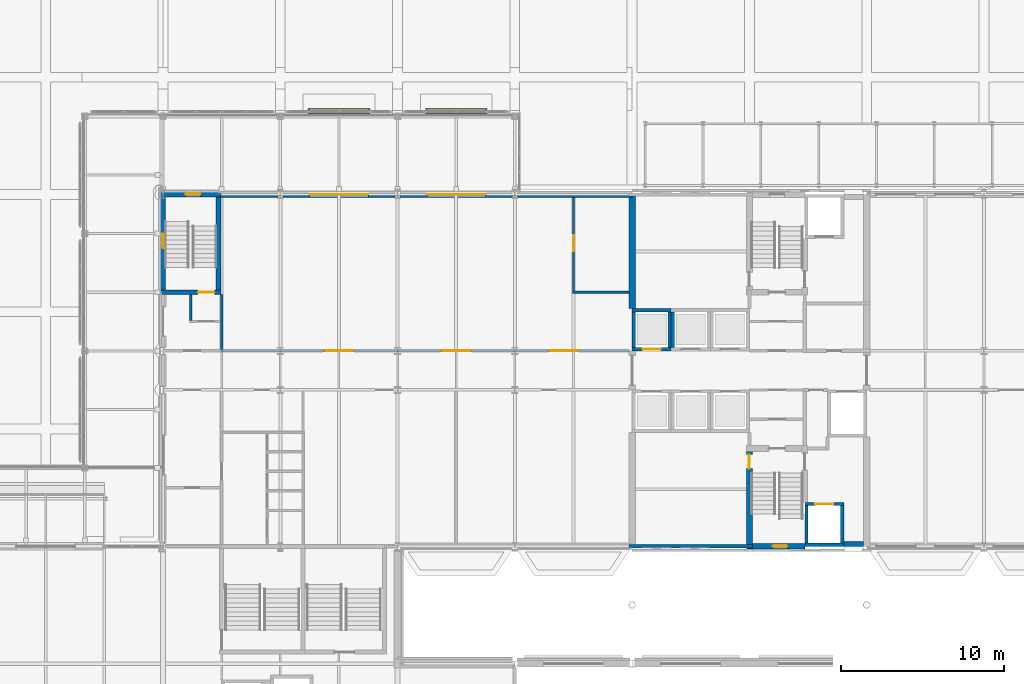
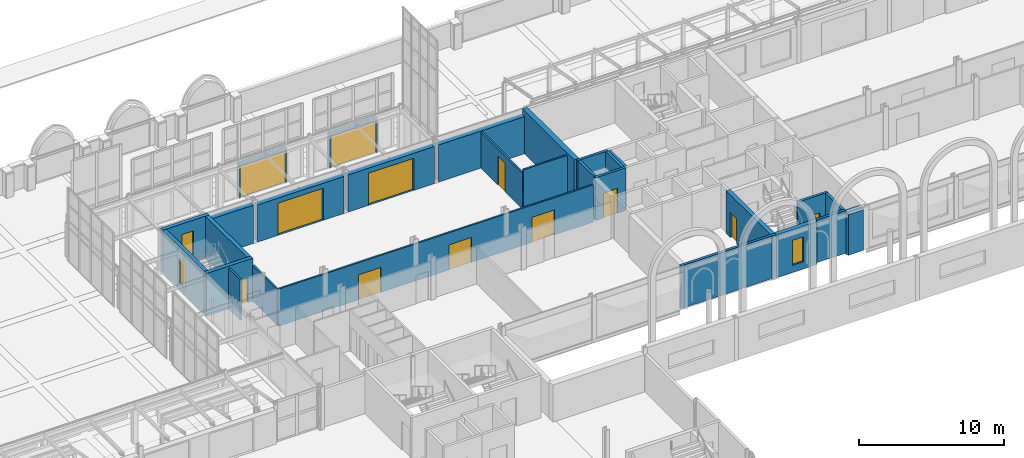
# One storey, part 78 of 143: 29 walls, 12 doors, 3 windows, 15 openings.
"""IFC4 building model written with IfcOpenShell, lengths in metres."""

from ifc_helpers import new_model, si_unit, direction, frame, frame_2d, origin, place, context, subcontext, project, spatial, rectangle, extrude, material, layer, layer_set, type_object, element, fill, save


model = new_model("IFC4")

# Units and contexts
model_context = context("Model", 3, precision=1e-05, world=origin(), true_north=direction((0.0, 1.0)))
body_context = subcontext(model_context, "Body", "Model", "MODEL_VIEW")
ifc_project = project(units=[si_unit("LENGTHUNIT", "METRE"), si_unit("AREAUNIT", "SQUARE_METRE"), si_unit("VOLUMEUNIT", "CUBIC_METRE"), si_unit("PLANEANGLEUNIT", "RADIAN"), si_unit("MASSUNIT", "GRAM", prefix="KILO")], contexts=[model_context])

# Site, building, storey
site_placement = place(None, origin())
site = spatial("IfcSite", under=ifc_project, at=site_placement, CompositionType="ELEMENT")
building_placement = place(site_placement, origin())
building = spatial("IfcBuilding", under=site, at=building_placement, Name="Kupolbacken Congress Centre", CompositionType="ELEMENT")
storey_placement = place(building_placement, frame((0.0, 0.0, 7.199951171875)))
storey = spatial("IfcBuildingStorey", under=building, at=storey_placement, Name="L02", CompositionType="ELEMENT", Elevation=7.199951171875)

# Wall, opening, door
ifc_material_1 = material(Name="Limestone", Category="masonry")
ifc_layer_1 = layer(ifc_material_1, 0.06005859375)
ifc_material_2 = material(Name="Air cavity", Category="air")
ifc_layer_2 = layer(ifc_material_2, 0.0400390625, ventilated=True)
ifc_material_3 = material(Name="Mineral wool", Category="insulation")
ifc_layer_3 = layer(ifc_material_3, 0.14990234375)
ifc_material_4 = material(Name="Steel studs", Category="metal")
ifc_layer_4 = layer(ifc_material_4, 0.050048828125)
ifc_layer_set_1 = layer_set([ifc_layer_1, ifc_layer_2, ifc_layer_3, ifc_layer_4], Name="Limestone / Mineral wool / Steel studs")
wall_type_1 = type_object("IfcWallType", Name="EW01 external cavity wall 300", PredefinedType="SOLIDWALL", material=ifc_layer_set_1)
wall_1_placement = place(storey_placement, frame((73.699951171875, 149.125, 0.0), z_axis=(0.0, 0.0, 1.0), x_axis=(1.0, 0.0, 0.0)))
wall_1 = element("IfcWall", 1, at=wall_1_placement, inside=storey, type_object=wall_type_1, Name="E/T/portal/N/screen72/door", PredefinedType="SOLIDWALL", context=body_context, shape_type="SweptSolid", body=[
    extrude(rectangle(XDim=3.800048828125, YDim=0.300048828125, at=frame_2d((1.89990234375, 0.0))), origin(), (0.0, 0.0, 1.0), 2.900146484375),
])
opening_1_placement = place(wall_1_placement, frame((0.10009765625, 0.0, 0.0)))
opening_1 = element("IfcOpeningElement", 2, at=opening_1_placement, cuts=wall_1, Name="Opening D40", PredefinedType="OPENING", context=body_context, shape_type="SweptSolid", body=[
    extrude(rectangle(XDim=3.60009765625, YDim=2.699951171875, at=frame_2d((1.800048828125, 1.35009765625))), frame((0.0, 0.159912109375, 0.0), z_axis=(0.0, -1.0, 0.0), x_axis=(1.0, 0.0, 0.0)), (0.0, 0.0, 1.0), 0.320068359375),
])
ifc_material_5 = material(Name="Aluminium framed glazed door", Category="aluminium")
door_type_1 = type_object("IfcDoorType", Name="D40 entrance door pair 3600x2700", OperationType="DOUBLE_DOOR_SINGLE_SWING", PredefinedType="DOOR", material=ifc_material_5)
door_1_placement = place(opening_1_placement, origin())
door_1 = element("IfcDoor", 3, at=door_1_placement, inside=storey, type_object=door_type_1, Name="E/T/portal/N/screen72/door/D", OperationType="DOUBLE_DOOR_SINGLE_SWING", OverallHeight=2.699951171875, OverallWidth=3.60009765625, PredefinedType="DOOR", context=body_context, shape_type="SweptSolid", body=[
    extrude(rectangle(XDim=3.60009765625, YDim=2.699951171875, at=frame_2d((1.800048828125, 1.35009765625))), frame((0.0, 0.02490234375, 0.0), z_axis=(0.0, -1.0, 0.0), x_axis=(1.0, 0.0, 0.0)), (0.0, 0.0, 1.0), 0.050048828125),
])
fill(opening_1, door_1)

wall_2_placement = place(storey_placement, frame((80.89990234375, 149.125, 0.0), z_axis=(0.0, 0.0, 1.0), x_axis=(1.0, 0.0, 0.0)))
wall_2 = element("IfcWall", 4, at=wall_2_placement, inside=storey, type_object=wall_type_1, Name="E/T/portal/N/screen79.2/door", PredefinedType="SOLIDWALL", context=body_context, shape_type="SweptSolid", body=[
    extrude(rectangle(XDim=3.800048828125, YDim=0.300048828125, at=frame_2d((1.89990234375, 0.0))), origin(), (0.0, 0.0, 1.0), 2.900146484375),
])
opening_2_placement = place(wall_2_placement, frame((0.10009765625, 0.0, 0.0)))
opening_2 = element("IfcOpeningElement", 5, at=opening_2_placement, cuts=wall_2, Name="Opening D40", PredefinedType="OPENING", context=body_context, shape_type="SweptSolid", body=[
    extrude(rectangle(XDim=3.60009765625, YDim=2.699951171875, at=frame_2d((1.800048828125, 1.35009765625))), frame((0.0, 0.159912109375, 0.0), z_axis=(0.0, -1.0, 0.0), x_axis=(1.0, 0.0, 0.0)), (0.0, 0.0, 1.0), 0.320068359375),
])
door_2_placement = place(opening_2_placement, origin())
door_2 = element("IfcDoor", 6, at=door_2_placement, inside=storey, type_object=door_type_1, Name="E/T/portal/N/screen79.2/door/D", OperationType="DOUBLE_DOOR_SINGLE_SWING", OverallHeight=2.699951171875, OverallWidth=3.60009765625, PredefinedType="DOOR", context=body_context, shape_type="SweptSolid", body=[
    extrude(rectangle(XDim=3.60009765625, YDim=2.699951171875, at=frame_2d((1.800048828125, 1.35009765625))), frame((0.0, 0.02490234375, 0.0), z_axis=(0.0, -1.0, 0.0), x_axis=(1.0, 0.0, 0.0)), (0.0, 0.0, 1.0), 0.050048828125),
])
fill(opening_2, door_2)

# Wall
ifc_layer_5 = layer(ifc_material_1, 0.1201171875)
ifc_layer_6 = layer(ifc_material_2, 0.0400390625, ventilated=True)
ifc_layer_7 = layer(ifc_material_3, 0.169921875)
ifc_layer_8 = layer(ifc_material_4, 0.050048828125)
ifc_layer_set_2 = layer_set([ifc_layer_5, ifc_layer_6, ifc_layer_7, ifc_layer_8], Name="Limestone / Mineral wool / Steel studs")
wall_type_2 = type_object("IfcWallType", Name="EW03 external cavity wall 380", PredefinedType="SOLIDWALL", material=ifc_layer_set_2)
wall_3_placement = place(storey_placement, frame((93.60009765625, 144.0, 0.0), z_axis=(0.0, 0.0, 1.0), x_axis=(-1.0, 0.0, 0.0)))
element("IfcWall", 7, at=wall_3_placement, inside=storey, type_object=wall_type_2, Name="E/T/N/L02/019", PredefinedType="SOLIDWALL", context=body_context, shape_type="SweptSolid", body=[
    extrude(rectangle(XDim=7.046630859375, YDim=0.3798828125, at=frame_2d((3.5234375, 0.0))), origin(), (0.0, 0.0, 1.0), 3.1201171875),
])

# Wall, opening, door
wall_4_placement = place(storey_placement, frame((86.24658203125, 144.0, 0.0), z_axis=(0.0, 0.0, 1.0), x_axis=(-1.0, 0.0, 0.0)))
wall_4 = element("IfcWall", 8, at=wall_4_placement, inside=storey, type_object=wall_type_2, Name="E/T/N/L02/020", PredefinedType="SOLIDWALL", context=body_context, shape_type="SweptSolid", body=[
    extrude(rectangle(XDim=6.89306640625, YDim=0.3798828125, at=frame_2d((3.446533203125, 0.0))), origin(), (0.0, 0.0, 1.0), 3.1201171875),
])
opening_3_placement = place(wall_4_placement, frame((1.646484375, 0.0, 0.0)))
opening_3 = element("IfcOpeningElement", 9, at=opening_3_placement, cuts=wall_4, Name="Opening D40", PredefinedType="OPENING", context=body_context, shape_type="SweptSolid", body=[
    extrude(rectangle(XDim=3.60009765625, YDim=2.699951171875, at=frame_2d((1.800048828125, 1.35009765625))), frame((0.0, 0.199951171875, 0.0), z_axis=(0.0, -1.0, 0.0), x_axis=(1.0, 0.0, 0.0)), (0.0, 0.0, 1.0), 0.39990234375),
])
door_3_placement = place(opening_3_placement, origin())
door_3 = element("IfcDoor", 10, at=door_3_placement, inside=storey, type_object=door_type_1, Name="E/T/N/L02/020/DHT2", OperationType="DOUBLE_DOOR_SINGLE_SWING", OverallHeight=2.699951171875, OverallWidth=3.60009765625, PredefinedType="DOOR", context=body_context, shape_type="SweptSolid", body=[
    extrude(rectangle(XDim=3.60009765625, YDim=2.699951171875, at=frame_2d((1.800048828125, 1.35009765625))), frame((0.0, 0.02490234375, 0.0), z_axis=(0.0, -1.0, 0.0), x_axis=(1.0, 0.0, 0.0)), (0.0, 0.0, 1.0), 0.050048828125),
])
fill(opening_3, door_3)

wall_5_placement = place(storey_placement, frame((79.04638671875, 144.0, 0.0), z_axis=(0.0, 0.0, 1.0), x_axis=(-1.0, 0.0, 0.0)))
wall_5 = element("IfcWall", 11, at=wall_5_placement, inside=storey, type_object=wall_type_2, Name="E/T/N/L02/021", PredefinedType="SOLIDWALL", context=body_context, shape_type="SweptSolid", body=[
    extrude(rectangle(XDim=6.892822265625, YDim=0.3798828125, at=frame_2d((3.4462890625, 0.0))), origin(), (0.0, 0.0, 1.0), 3.1201171875),
])
opening_4_placement = place(wall_5_placement, frame((1.646484375, 0.0, 0.0)))
opening_4 = element("IfcOpeningElement", 12, at=opening_4_placement, cuts=wall_5, Name="Opening D40", PredefinedType="OPENING", context=body_context, shape_type="SweptSolid", body=[
    extrude(rectangle(XDim=3.60009765625, YDim=2.699951171875, at=frame_2d((1.800048828125, 1.35009765625))), frame((0.0, 0.199951171875, 0.0), z_axis=(0.0, -1.0, 0.0), x_axis=(1.0, 0.0, 0.0)), (0.0, 0.0, 1.0), 0.39990234375),
])
door_4_placement = place(opening_4_placement, origin())
door_4 = element("IfcDoor", 13, at=door_4_placement, inside=storey, type_object=door_type_1, Name="E/T/N/L02/021/DHT1", OperationType="DOUBLE_DOOR_SINGLE_SWING", OverallHeight=2.699951171875, OverallWidth=3.60009765625, PredefinedType="DOOR", context=body_context, shape_type="SweptSolid", body=[
    extrude(rectangle(XDim=3.60009765625, YDim=2.699951171875, at=frame_2d((1.800048828125, 1.35009765625))), frame((0.0, 0.02490234375, 0.0), z_axis=(0.0, -1.0, 0.0), x_axis=(1.0, 0.0, 0.0)), (0.0, 0.0, 1.0), 0.050048828125),
])
fill(opening_4, door_4)

# Walls
wall_6_placement = place(storey_placement, frame((71.846435546875, 144.0, 0.0), z_axis=(0.0, 0.0, 1.0), x_axis=(-1.0, 0.0, 0.0)))
element("IfcWall", 14, at=wall_6_placement, inside=storey, type_object=wall_type_2, Name="E/T/N/L02/022", PredefinedType="SOLIDWALL", context=body_context, shape_type="SweptSolid", body=[
    extrude(rectangle(XDim=3.646484375, YDim=0.3798828125, at=frame_2d((1.8232421875, 0.0))), origin(), (0.0, 0.0, 1.0), 3.219970703125),
])
ifc_material_6 = material(Name="Concrete C40/50", Category="concrete")
ifc_layer_9 = layer(ifc_material_6, 0.35009765625)
ifc_layer_10 = layer(ifc_material_3, 0.1220703125)
ifc_layer_11 = layer(ifc_material_2, 0.0400390625, ventilated=True)
ifc_material_7 = material(Name="Brick", Category="masonry")
ifc_layer_12 = layer(ifc_material_7, 0.10791015625)
ifc_layer_set_3 = layer_set([ifc_layer_9, ifc_layer_10, ifc_layer_11, ifc_layer_12], Name="Concrete C40/50 / Mineral wool / Brick")
wall_type_3 = type_object("IfcWallType", Name="EW10 external cavity wall 620", PredefinedType="SOLIDWALL", material=ifc_layer_set_3)
wall_7_placement = place(storey_placement, frame((106.60009765625, 122.39990234375, 0.0), z_axis=(0.0, 0.0, 1.0), x_axis=(1.0, 0.0, 0.0)))
element("IfcWall", 15, at=wall_7_placement, inside=storey, type_object=wall_type_3, Name="E/T/S/L02/025", PredefinedType="SOLIDWALL", context=body_context, shape_type="SweptSolid", body=[
    extrude(rectangle(XDim=1.199951171875, YDim=0.6201171875, at=frame_2d((0.60009765625, 0.0))), origin(), (0.0, 0.0, 1.0), 3.420166015625),
])

# Wall, openings, doors
ifc_material_8 = material(Name="Gypsum board", Category="drywall")
ifc_layer_13 = layer(ifc_material_8, 0.135009765625)
ifc_layer_set_4 = layer_set([ifc_layer_13], Name="Gypsum board")
wall_type_4 = type_object("IfcWallType", Name="P06 compartment wall 135", PredefinedType="PARTITIONING", material=ifc_layer_set_4)
wall_8_placement = place(storey_placement, frame((68.330078125, 134.39990234375, 0.0), z_axis=(0.0, 0.0, 1.0), x_axis=(1.0, 0.0, 0.0)))
wall_8 = element("IfcWall", 16, at=wall_8_placement, inside=storey, type_object=wall_type_4, Name="T/wall/L02/x/13440/6840", PredefinedType="PARTITIONING", context=body_context, shape_type="SweptSolid", body=[
    extrude(rectangle(XDim=25.06982421875, YDim=0.135009765625, at=frame_2d((12.534912109375, 0.0))), origin(), (0.0, 0.0, 1.0), 3.1201171875),
])
opening_5_placement = place(wall_8_placement, frame((6.3701171875, 0.0, 0.0)))
opening_5 = element("IfcOpeningElement", 17, at=opening_5_placement, cuts=wall_8, Name="Opening D14", PredefinedType="OPENING", context=body_context, shape_type="SweptSolid", body=[
    extrude(rectangle(XDim=1.800048828125, YDim=2.10009765625, at=frame_2d((0.89990234375, 1.050048828125))), frame((0.0, 0.077392578125, 0.0), z_axis=(0.0, -1.0, 0.0), x_axis=(1.0, 0.0, 0.0)), (0.0, 0.0, 1.0), 0.155029296875),
])
opening_6_placement = place(wall_8_placement, frame((13.570068359375, 0.0, 0.0)))
opening_6 = element("IfcOpeningElement", 18, at=opening_6_placement, cuts=wall_8, Name="Opening D14", PredefinedType="OPENING", context=body_context, shape_type="SweptSolid", body=[
    extrude(rectangle(XDim=1.800048828125, YDim=2.10009765625, at=frame_2d((0.89990234375, 1.050048828125))), frame((0.0, 0.077392578125, 0.0), z_axis=(0.0, -1.0, 0.0), x_axis=(1.0, 0.0, 0.0)), (0.0, 0.0, 1.0), 0.155029296875),
])
opening_7_placement = place(wall_8_placement, frame((20.169921875, 0.0, 0.0)))
opening_7 = element("IfcOpeningElement", 19, at=opening_7_placement, cuts=wall_8, Name="Opening D14", PredefinedType="OPENING", context=body_context, shape_type="SweptSolid", body=[
    extrude(rectangle(XDim=1.800048828125, YDim=2.10009765625, at=frame_2d((0.89990234375, 1.050048828125))), frame((0.0, 0.077392578125, 0.0), z_axis=(0.0, -1.0, 0.0), x_axis=(1.0, 0.0, 0.0)), (0.0, 0.0, 1.0), 0.155029296875),
])
ifc_material_9 = material(Name="Steel fire door leaf", Category="steel")
door_type_2 = type_object("IfcDoorType", Name="D14 fire door 1800x2100", OperationType="DOUBLE_DOOR_SINGLE_SWING", PredefinedType="DOOR", material=ifc_material_9)
door_5_placement = place(opening_5_placement, origin())
door_5 = element("IfcDoor", 20, at=door_5_placement, inside=storey, type_object=door_type_2, Name="T/wall/L02/x/13440/6840/D-HLB-S1", OperationType="DOUBLE_DOOR_SINGLE_SWING", OverallHeight=2.10009765625, OverallWidth=1.800048828125, PredefinedType="DOOR", context=body_context, shape_type="SweptSolid", body=[
    extrude(rectangle(XDim=1.800048828125, YDim=2.10009765625, at=frame_2d((0.89990234375, 1.050048828125))), frame((0.0, 0.02490234375, 0.0), z_axis=(0.0, -1.0, 0.0), x_axis=(1.0, 0.0, 0.0)), (0.0, 0.0, 1.0), 0.050048828125),
])
fill(opening_5, door_5)
door_6_placement = place(opening_6_placement, origin())
door_6 = element("IfcDoor", 21, at=door_6_placement, inside=storey, type_object=door_type_2, Name="T/wall/L02/x/13440/6840/D-HLB-S2", OperationType="DOUBLE_DOOR_SINGLE_SWING", OverallHeight=2.10009765625, OverallWidth=1.800048828125, PredefinedType="DOOR", context=body_context, shape_type="SweptSolid", body=[
    extrude(rectangle(XDim=1.800048828125, YDim=2.10009765625, at=frame_2d((0.89990234375, 1.050048828125))), frame((0.0, 0.02490234375, 0.0), z_axis=(0.0, -1.0, 0.0), x_axis=(1.0, 0.0, 0.0)), (0.0, 0.0, 1.0), 0.050048828125),
])
fill(opening_6, door_6)
door_7_placement = place(opening_7_placement, origin())
door_7 = element("IfcDoor", 22, at=door_7_placement, inside=storey, type_object=door_type_2, Name="T/wall/L02/x/13440/6840/D-HLB-S3", OperationType="DOUBLE_DOOR_SINGLE_SWING", OverallHeight=2.10009765625, OverallWidth=1.800048828125, PredefinedType="DOOR", context=body_context, shape_type="SweptSolid", body=[
    extrude(rectangle(XDim=1.800048828125, YDim=2.10009765625, at=frame_2d((0.89990234375, 1.050048828125))), frame((0.0, 0.02490234375, 0.0), z_axis=(0.0, -1.0, 0.0), x_axis=(1.0, 0.0, 0.0)), (0.0, 0.0, 1.0), 0.050048828125),
])
fill(opening_7, door_7)

# Wall
wall_9_placement = place(storey_placement, frame((89.9326171875, 138.0, 0.0), z_axis=(0.0, 0.0, 1.0), x_axis=(1.0, 0.0, 0.0)))
element("IfcWall", 23, at=wall_9_placement, inside=storey, type_object=wall_type_4, Name="T/wall/L02/x/13800/9000", PredefinedType="PARTITIONING", context=body_context, shape_type="SweptSolid", body=[
    extrude(rectangle(XDim=3.46728515625, YDim=0.135009765625, at=frame_2d((1.733642578125, 0.0))), origin(), (0.0, 0.0, 1.0), 3.420166015625),
])

# Wall, opening, door
wall_10_placement = place(storey_placement, frame((90.0, 138.0673828125, 0.0), z_axis=(0.0, 0.0, 1.0), x_axis=(0.0, 1.0, 0.0)))
wall_10 = element("IfcWall", 24, at=wall_10_placement, inside=storey, type_object=wall_type_4, Name="T/wall/L02/y/9000/13800", PredefinedType="PARTITIONING", context=body_context, shape_type="SweptSolid", body=[
    extrude(rectangle(XDim=5.74267578125, YDim=0.135009765625, at=frame_2d((2.871337890625, 0.0))), origin(), (0.0, 0.0, 1.0), 3.02001953125),
])
opening_8_placement = place(wall_10_placement, frame((2.4326171875, 0.0, 0.0)))
opening_8 = element("IfcOpeningElement", 25, at=opening_8_placement, cuts=wall_10, Name="Opening D8", PredefinedType="OPENING", context=body_context, shape_type="SweptSolid", body=[
    extrude(rectangle(XDim=1.0, YDim=2.39990234375, at=frame_2d((0.5, 1.199951171875))), frame((0.0, 0.077392578125, 0.0), z_axis=(0.0, -1.0, 0.0), x_axis=(1.0, 0.0, 0.0)), (0.0, 0.0, 1.0), 0.155029296875),
])
ifc_material_10 = material(Name="Steel fire door leaf", Category="steel")
door_type_3 = type_object("IfcDoorType", Name="D8 fire door 1000x2400", OperationType="SINGLE_SWING_LEFT", PredefinedType="DOOR", material=ifc_material_10)
door_8_placement = place(opening_8_placement, frame((1.0, 0.0, 0.0), z_axis=(0.0, 0.0, 1.0), x_axis=(-1.0, 0.0, 0.0)))
door_8 = element("IfcDoor", 26, at=door_8_placement, inside=storey, type_object=door_type_3, Name="T/wall/L02/y/9000/13800/D-FCR-D", OperationType="SINGLE_SWING_RIGHT", OverallHeight=2.39990234375, OverallWidth=1.0, PredefinedType="DOOR", context=body_context, shape_type="SweptSolid", body=[
    extrude(rectangle(XDim=1.0, YDim=2.39990234375, at=frame_2d((0.5, 1.199951171875))), frame((0.0, 0.02490234375, 0.0), z_axis=(0.0, -1.0, 0.0), x_axis=(1.0, 0.0, 0.0)), (0.0, 0.0, 1.0), 0.050048828125),
])
fill(opening_8, door_8)

# Walls
ifc_material_11 = material(Name="Aerated concrete block", Category="masonry")
ifc_layer_14 = layer(ifc_material_11, 0.139892578125)
ifc_layer_set_5 = layer_set([ifc_layer_14], Name="Aerated concrete block")
wall_type_5 = type_object("IfcWallType", Name="P14 compartment wall 140", PredefinedType="PARTITIONING", material=ifc_layer_set_5)
wall_11_placement = place(storey_placement, frame((66.5, 136.27001953125, 0.0), z_axis=(0.0, 0.0, 1.0), x_axis=(0.0, 1.0, 0.0)))
element("IfcWall", 27, at=wall_11_placement, inside=storey, type_object=wall_type_5, Name="T/wall/L02/y/6650/13620", PredefinedType="PARTITIONING", context=body_context, shape_type="SweptSolid", body=[
    extrude(rectangle(XDim=1.580078125, YDim=0.139892578125, at=frame_2d((0.7900390625, 0.0))), origin(), (0.0, 0.0, 1.0), 3.420166015625),
])
wall_12_placement = place(storey_placement, frame((68.39990234375, 134.469970703125, 0.0), z_axis=(0.0, 0.0, 1.0), x_axis=(0.0, 1.0, 0.0)))
element("IfcWall", 28, at=wall_12_placement, inside=storey, type_object=wall_type_5, Name="T/wall/L02/y/6840/13440", PredefinedType="PARTITIONING", context=body_context, shape_type="SweptSolid", body=[
    extrude(rectangle(XDim=3.380126953125, YDim=0.139892578125, at=frame_2d((1.68994140625, 0.0))), origin(), (0.0, 0.0, 1.0), 3.02001953125),
])
ifc_material_12 = material(Name="Concrete C40/50", Category="concrete")
ifc_layer_15 = layer(ifc_material_12, 0.199951171875)
ifc_layer_set_6 = layer_set([ifc_layer_15], Name="Concrete C40/50")
wall_type_6 = type_object("IfcWallType", Name="WC1 RC shaft wall 200", PredefinedType="SHEAR", material=ifc_layer_set_6)
wall_13_placement = place(storey_placement, frame((93.39990234375, 122.39990234375, 0.0), z_axis=(0.0, 0.0, 1.0), x_axis=(1.0, 0.0, 0.0)))
element("IfcWall", 29, at=wall_13_placement, inside=storey, type_object=wall_type_6, Name="Shaft wall L02-078", PredefinedType="SHEAR", context=body_context, shape_type="SweptSolid", body=[
    extrude(rectangle(XDim=7.5751953125, YDim=0.199951171875, at=frame_2d((3.78759765625, 0.0))), origin(), (0.0, 0.0, 1.0), 3.60009765625),
])

# Wall, opening, door
wall_14_placement = place(storey_placement, frame((93.60009765625, 134.5, 0.0), z_axis=(0.0, 0.0, 1.0), x_axis=(1.0, 0.0, 0.0)))
wall_14 = element("IfcWall", 30, at=wall_14_placement, inside=storey, type_object=wall_type_6, Name="Shaft wall LP12", PredefinedType="SHEAR", context=body_context, shape_type="SweptSolid", body=[
    extrude(rectangle(XDim=2.39990234375, YDim=0.199951171875, at=frame_2d((1.199951171875, 0.0))), origin(), (0.0, 0.0, 1.0), 3.60009765625),
])
opening_9_placement = place(wall_14_placement, frame((0.64990234375, 0.0, 0.0)))
opening_9 = element("IfcOpeningElement", 31, at=opening_9_placement, cuts=wall_14, Name="Opening LD2", PredefinedType="OPENING", context=body_context, shape_type="SweptSolid", body=[
    extrude(rectangle(XDim=1.10009765625, YDim=2.10009765625, at=frame_2d((0.550048828125, 1.050048828125))), frame((0.0, 0.10986328125, 0.0), z_axis=(0.0, -1.0, 0.0), x_axis=(1.0, 0.0, 0.0)), (0.0, 0.0, 1.0), 0.219970703125),
])
ifc_material_13 = material(Name="Stainless steel door leaf", Category="steel")
door_type_4 = type_object("IfcDoorType", Name="LD2 lift landing door 1100x2100", OperationType="SLIDING_TO_LEFT", PredefinedType="DOOR", material=ifc_material_13)
door_9_placement = place(opening_9_placement, origin())
door_9 = element("IfcDoor", 32, at=door_9_placement, inside=storey, type_object=door_type_4, Name="Lift landing door LP12", OperationType="SLIDING_TO_LEFT", OverallHeight=2.10009765625, OverallWidth=1.10009765625, PredefinedType="DOOR", context=body_context, shape_type="SweptSolid", body=[
    extrude(rectangle(XDim=1.10009765625, YDim=2.10009765625, at=frame_2d((0.550048828125, 1.050048828125))), frame((0.0, 0.02490234375, 0.0), z_axis=(0.0, -1.0, 0.0), x_axis=(1.0, 0.0, 0.0)), (0.0, 0.0, 1.0), 0.050048828125),
])
fill(opening_9, door_9)

# Walls
wall_15_placement = place(storey_placement, frame((93.60009765625, 136.89990234375, 0.0), z_axis=(0.0, 0.0, 1.0), x_axis=(1.0, 0.0, 0.0)))
element("IfcWall", 33, at=wall_15_placement, inside=storey, type_object=wall_type_6, Name="Shaft wall LP12", PredefinedType="SHEAR", context=body_context, shape_type="SweptSolid", body=[
    extrude(rectangle(XDim=2.39990234375, YDim=0.199951171875, at=frame_2d((1.199951171875, 0.0))), origin(), (0.0, 0.0, 1.0), 3.60009765625),
])
for number, where, z_axis, x_axis, name in (
    (34, (93.699951171875, 134.60009765625, 0.0), (0.0, 0.0, 1.0), (0.0, 1.0, 0.0), "Shaft wall LP12"),
    (35, (95.89990234375, 134.60009765625, 0.0), (0.0, 0.0, 1.0), (0.0, 1.0, 0.0), "Shaft wall LP12"),
    (36, (96.10009765625, 134.60009765625, 0.0), (0.0, 0.0, 1.0), (0.0, 1.0, 0.0), "Shaft wall LP13"),
):
    element("IfcWall", number, at=place(storey_placement, frame(where, z_axis=z_axis, x_axis=x_axis)), inside=storey, type_object=wall_type_6, Name=name, PredefinedType="SHEAR", context=body_context, shape_type="SweptSolid", body=[
        extrude(rectangle(XDim=2.199951171875, YDim=0.199951171875, at=frame_2d((1.10009765625, 0.0))), origin(), (0.0, 0.0, 1.0), 3.60009765625),
    ])
wall_16_placement = place(storey_placement, frame((104.199951171875, 122.5, 0.0), z_axis=(0.0, 0.0, 1.0), x_axis=(1.0, 0.0, 0.0)))
element("IfcWall", 37, at=wall_16_placement, inside=storey, type_object=wall_type_6, Name="Shaft wall LF1", PredefinedType="SHEAR", context=body_context, shape_type="SweptSolid", body=[
    extrude(rectangle(XDim=2.400146484375, YDim=0.199951171875, at=frame_2d((1.2001953125, 0.0))), origin(), (0.0, 0.0, 1.0), 3.60009765625),
])

# Wall, opening, door
wall_17_placement = place(storey_placement, frame((104.199951171875, 125.0, 0.0), z_axis=(0.0, 0.0, 1.0), x_axis=(1.0, 0.0, 0.0)))
wall_17 = element("IfcWall", 38, at=wall_17_placement, inside=storey, type_object=wall_type_6, Name="Shaft wall LF1", PredefinedType="SHEAR", context=body_context, shape_type="SweptSolid", body=[
    extrude(rectangle(XDim=2.400146484375, YDim=0.199951171875, at=frame_2d((1.2001953125, 0.0))), origin(), (0.0, 0.0, 1.0), 3.60009765625),
])
opening_10_placement = place(wall_17_placement, frame((0.64990234375, 0.0, 0.0)))
opening_10 = element("IfcOpeningElement", 39, at=opening_10_placement, cuts=wall_17, Name="Opening LD2", PredefinedType="OPENING", context=body_context, shape_type="SweptSolid", body=[
    extrude(rectangle(XDim=1.10009765625, YDim=2.10009765625, at=frame_2d((0.550048828125, 1.050048828125))), frame((0.0, 0.10986328125, 0.0), z_axis=(0.0, -1.0, 0.0), x_axis=(1.0, 0.0, 0.0)), (0.0, 0.0, 1.0), 0.219970703125),
])
door_10_placement = place(opening_10_placement, origin())
door_10 = element("IfcDoor", 40, at=door_10_placement, inside=storey, type_object=door_type_4, Name="Lift landing door LF1", OperationType="SLIDING_TO_LEFT", OverallHeight=2.10009765625, OverallWidth=1.10009765625, PredefinedType="DOOR", context=body_context, shape_type="SweptSolid", body=[
    extrude(rectangle(XDim=1.10009765625, YDim=2.10009765625, at=frame_2d((0.550048828125, 1.050048828125))), frame((0.0, 0.02490234375, 0.0), z_axis=(0.0, -1.0, 0.0), x_axis=(1.0, 0.0, 0.0)), (0.0, 0.0, 1.0), 0.050048828125),
])
fill(opening_10, door_10)

# Walls
for number, where, z_axis, x_axis, name in (
    (41, (104.300048828125, 122.60009765625, 0.0), (0.0, 0.0, 1.0), (0.0, 1.0, 0.0), "Shaft wall LF1"),
    (42, (106.5, 122.60009765625, 0.0), (0.0, 0.0, 1.0), (0.0, 1.0, 0.0), "Shaft wall LF1"),
):
    element("IfcWall", number, at=place(storey_placement, frame(where, z_axis=z_axis, x_axis=x_axis)), inside=storey, type_object=wall_type_6, Name=name, PredefinedType="SHEAR", context=body_context, shape_type="SweptSolid", body=[
        extrude(rectangle(XDim=2.2998046875, YDim=0.199951171875, at=frame_2d((1.14990234375, 0.0))), origin(), (0.0, 0.0, 1.0), 3.60009765625),
    ])

# Wall, opening, door
ifc_material_14 = material(Name="Concrete C40/50", Category="concrete")
ifc_layer_16 = layer(ifc_material_14, 0.300048828125)
ifc_layer_set_7 = layer_set([ifc_layer_16], Name="Concrete C40/50")
wall_type_7 = type_object("IfcWallType", Name="WC3 RC core wall 300", PredefinedType="SHEAR", material=ifc_layer_set_7)
wall_18_placement = place(storey_placement, frame((64.64990234375, 138.0, 0.0), z_axis=(0.0, 0.0, 1.0), x_axis=(1.0, 0.0, 0.0)))
wall_18 = element("IfcWall", 43, at=wall_18_placement, inside=storey, type_object=wall_type_7, Name="Core wall L02-118", PredefinedType="SHEAR", context=body_context, shape_type="SweptSolid", body=[
    extrude(rectangle(XDim=3.7001953125, YDim=0.300048828125, at=frame_2d((1.85009765625, 0.0))), origin(), (0.0, 0.0, 1.0), 3.60009765625),
])
opening_11_placement = place(wall_18_placement, frame((2.300048828125, 0.0, 0.0)))
opening_11 = element("IfcOpeningElement", 44, at=opening_11_placement, cuts=wall_18, Name="Opening D5", PredefinedType="OPENING", context=body_context, shape_type="SweptSolid", body=[
    extrude(rectangle(XDim=1.0, YDim=2.10009765625, at=frame_2d((0.5, 1.050048828125))), frame((0.0, 0.159912109375, 0.0), z_axis=(0.0, -1.0, 0.0), x_axis=(1.0, 0.0, 0.0)), (0.0, 0.0, 1.0), 0.320068359375),
])
ifc_material_15 = material(Name="Steel fire door leaf", Category="steel")
door_type_5 = type_object("IfcDoorType", Name="D5 stair door 1000x2100", OperationType="SINGLE_SWING_LEFT", PredefinedType="DOOR", material=ifc_material_15)
door_11_placement = place(opening_11_placement, origin())
door_11 = element("IfcDoor", 45, at=door_11_placement, inside=storey, type_object=door_type_5, Name="S/core/L02/118/D-TS3-LK1", OperationType="SINGLE_SWING_LEFT", OverallHeight=2.10009765625, OverallWidth=1.0, PredefinedType="DOOR", context=body_context, shape_type="SweptSolid", body=[
    extrude(rectangle(XDim=1.0, YDim=2.10009765625, at=frame_2d((0.5, 1.050048828125))), frame((0.0, 0.02490234375, 0.0), z_axis=(0.0, -1.0, 0.0), x_axis=(1.0, 0.0, 0.0)), (0.0, 0.0, 1.0), 0.050048828125),
])
fill(opening_11, door_11)

# Wall
wall_19_placement = place(storey_placement, frame((68.199951171875, 137.85009765625, 0.0), z_axis=(0.0, 0.0, 1.0), x_axis=(0.0, 1.0, 0.0)))
element("IfcWall", 46, at=wall_19_placement, inside=storey, type_object=wall_type_7, Name="Core wall L02-119", PredefinedType="SHEAR", context=body_context, shape_type="SweptSolid", body=[
    extrude(rectangle(XDim=6.2998046875, YDim=0.300048828125, at=frame_2d((3.14990234375, 0.0))), origin(), (0.0, 0.0, 1.0), 3.60009765625),
])

# Wall, opening, window
wall_20_placement = place(storey_placement, frame((64.800048828125, 144.14990234375, 0.0), z_axis=(0.0, 0.0, 1.0), x_axis=(0.0, -1.0, 0.0)))
wall_20 = element("IfcWall", 47, at=wall_20_placement, inside=storey, type_object=wall_type_7, Name="Core wall L02-124", PredefinedType="SHEAR", context=body_context, shape_type="SweptSolid", body=[
    extrude(rectangle(XDim=6.2998046875, YDim=0.300048828125, at=frame_2d((3.14990234375, 0.0))), origin(), (0.0, 0.0, 1.0), 3.60009765625),
])
opening_12_placement = place(wall_20_placement, frame((2.550048828125, 0.0, 0.60009765625)))
opening_12 = element("IfcOpeningElement", 48, at=opening_12_placement, cuts=wall_20, Name="Opening W28", PredefinedType="OPENING", context=body_context, shape_type="SweptSolid", body=[
    extrude(rectangle(XDim=0.89990234375, YDim=2.10009765625, at=frame_2d((0.449951171875, 1.050048828125))), frame((0.0, 0.159912109375, 0.0), z_axis=(0.0, -1.0, 0.0), x_axis=(1.0, 0.0, 0.0)), (0.0, 0.0, 1.0), 0.320068359375),
])
ifc_material_16 = material(Name="Aluminium frame with double or triple glazing", Category="aluminium")
window_type = type_object("IfcWindowType", Name="W28 window 900x2100", PartitioningType="SINGLE_PANEL", PredefinedType="WINDOW", material=ifc_material_16)
window_1_placement = place(opening_12_placement, origin())
window_1 = element("IfcWindow", 49, at=window_1_placement, inside=storey, type_object=window_type, Name="S/core/L02/124/WW28", OverallHeight=2.10009765625, OverallWidth=0.89990234375, PartitioningType="SINGLE_PANEL", PredefinedType="WINDOW", context=body_context, shape_type="SweptSolid", body=[
    extrude(rectangle(XDim=0.89990234375, YDim=2.10009765625, at=frame_2d((0.449951171875, 1.050048828125))), frame((0.0, 0.030029296875, 0.0), z_axis=(0.0, -1.0, 0.0), x_axis=(1.0, 0.0, 0.0)), (0.0, 0.0, 1.0), 0.06005859375),
])
fill(opening_12, window_1)

wall_21_placement = place(storey_placement, frame((68.35009765625, 144.0, 0.0), z_axis=(0.0, 0.0, 1.0), x_axis=(-1.0, 0.0, 0.0)))
wall_21 = element("IfcWall", 50, at=wall_21_placement, inside=storey, type_object=wall_type_7, Name="Core wall L02-125", PredefinedType="SHEAR", context=body_context, shape_type="SweptSolid", body=[
    extrude(rectangle(XDim=3.7001953125, YDim=0.300048828125, at=frame_2d((1.85009765625, 0.0))), origin(), (0.0, 0.0, 1.0), 3.60009765625),
])
opening_13_placement = place(wall_21_placement, frame((1.25, 0.0, 0.60009765625)))
opening_13 = element("IfcOpeningElement", 51, at=opening_13_placement, cuts=wall_21, Name="Opening W28", PredefinedType="OPENING", context=body_context, shape_type="SweptSolid", body=[
    extrude(rectangle(XDim=0.89990234375, YDim=2.10009765625, at=frame_2d((0.449951171875, 1.050048828125))), frame((0.0, 0.159912109375, 0.0), z_axis=(0.0, -1.0, 0.0), x_axis=(1.0, 0.0, 0.0)), (0.0, 0.0, 1.0), 0.320068359375),
])
window_2_placement = place(opening_13_placement, origin())
window_2 = element("IfcWindow", 52, at=window_2_placement, inside=storey, type_object=window_type, Name="S/core/L02/125/WW28", OverallHeight=2.10009765625, OverallWidth=0.89990234375, PartitioningType="SINGLE_PANEL", PredefinedType="WINDOW", context=body_context, shape_type="SweptSolid", body=[
    extrude(rectangle(XDim=0.89990234375, YDim=2.10009765625, at=frame_2d((0.449951171875, 1.050048828125))), frame((0.0, 0.030029296875, 0.0), z_axis=(0.0, -1.0, 0.0), x_axis=(1.0, 0.0, 0.0)), (0.0, 0.0, 1.0), 0.06005859375),
])
fill(opening_13, window_2)

ifc_material_17 = material(Name="Concrete C40/50", Category="concrete")
ifc_layer_17 = layer(ifc_material_17, 0.35009765625)
ifc_layer_set_8 = layer_set([ifc_layer_17], Name="Concrete C40/50")
wall_type_8 = type_object("IfcWallType", Name="WC4 RC core wall 350", PredefinedType="SHEAR", material=ifc_layer_set_8)
wall_22_placement = place(storey_placement, frame((100.97509765625, 122.39990234375, 0.0), z_axis=(0.0, 0.0, 1.0), x_axis=(1.0, 0.0, 0.0)))
wall_22 = element("IfcWall", 53, at=wall_22_placement, inside=storey, type_object=wall_type_8, Name="Core wall L02-079", PredefinedType="SHEAR", context=body_context, shape_type="SweptSolid", body=[
    extrude(rectangle(XDim=3.224853515625, YDim=0.35009765625, at=frame_2d((1.6123046875, 0.0))), origin(), (0.0, 0.0, 1.0), 3.60009765625),
])
opening_14_placement = place(wall_22_placement, frame((1.25, 0.0, 0.60009765625)))
opening_14 = element("IfcOpeningElement", 54, at=opening_14_placement, cuts=wall_22, Name="Opening W28", PredefinedType="OPENING", context=body_context, shape_type="SweptSolid", body=[
    extrude(rectangle(XDim=0.89990234375, YDim=2.10009765625, at=frame_2d((0.449951171875, 1.050048828125))), frame((0.0, 0.18505859375, 0.0), z_axis=(0.0, -1.0, 0.0), x_axis=(1.0, 0.0, 0.0)), (0.0, 0.0, 1.0), 0.3701171875),
])
window_3_placement = place(opening_14_placement, origin())
window_3 = element("IfcWindow", 55, at=window_3_placement, inside=storey, type_object=window_type, Name="S/core/L02/079/WW28", OverallHeight=2.10009765625, OverallWidth=0.89990234375, PartitioningType="SINGLE_PANEL", PredefinedType="WINDOW", context=body_context, shape_type="SweptSolid", body=[
    extrude(rectangle(XDim=0.89990234375, YDim=2.10009765625, at=frame_2d((0.449951171875, 1.050048828125))), frame((0.0, 0.030029296875, 0.0), z_axis=(0.0, -1.0, 0.0), x_axis=(1.0, 0.0, 0.0)), (0.0, 0.0, 1.0), 0.06005859375),
])
fill(opening_14, window_3)

# Wall, opening, door
wall_23_placement = place(storey_placement, frame((100.800048828125, 128.574951171875, 0.0), z_axis=(0.0, 0.0, 1.0), x_axis=(0.0, -1.0, 0.0)))
wall_23 = element("IfcWall", 56, at=wall_23_placement, inside=storey, type_object=wall_type_8, Name="Core wall L02-090", PredefinedType="SHEAR", context=body_context, shape_type="SweptSolid", body=[
    extrude(rectangle(XDim=6.349853515625, YDim=0.35009765625, at=frame_2d((3.1748046875, 0.0))), origin(), (0.0, 0.0, 1.0), 3.60009765625),
])
opening_15_placement = place(wall_23_placement, frame((0.550048828125, 0.0, 0.0)))
opening_15 = element("IfcOpeningElement", 57, at=opening_15_placement, cuts=wall_23, Name="Opening D3", PredefinedType="OPENING", context=body_context, shape_type="SweptSolid", body=[
    extrude(rectangle(XDim=0.85009765625, YDim=2.10009765625, at=frame_2d((0.425048828125, 1.050048828125))), frame((0.0, 0.18505859375, 0.0), z_axis=(0.0, -1.0, 0.0), x_axis=(1.0, 0.0, 0.0)), (0.0, 0.0, 1.0), 0.3701171875),
])
ifc_material_18 = material(Name="Steel fire door leaf", Category="steel")
door_type_6 = type_object("IfcDoorType", Name="D3 fire door 850x2100", OperationType="SINGLE_SWING_LEFT", PredefinedType="DOOR", material=ifc_material_18)
door_12_placement = place(opening_15_placement, origin())
door_12 = element("IfcDoor", 58, at=door_12_placement, inside=storey, type_object=door_type_6, Name="S/core/L02/090/D-TR1-A", OperationType="SINGLE_SWING_RIGHT", OverallHeight=2.10009765625, OverallWidth=0.85009765625, PredefinedType="DOOR", context=body_context, shape_type="SweptSolid", body=[
    extrude(rectangle(XDim=0.85009765625, YDim=2.10009765625, at=frame_2d((0.425048828125, 1.050048828125))), frame((0.0, 0.02490234375, 0.0), z_axis=(0.0, -1.0, 0.0), x_axis=(1.0, 0.0, 0.0)), (0.0, 0.0, 1.0), 0.050048828125),
])
fill(opening_15, door_12)

# Wall
ifc_material_19 = material(Name="Concrete C40/50", Category="concrete")
ifc_layer_18 = layer(ifc_material_19, 0.39990234375)
ifc_layer_set_9 = layer_set([ifc_layer_18], Name="Concrete C40/50")
wall_type_9 = type_object("IfcWallType", Name="WC5 RC core wall 400", PredefinedType="SHEAR", material=ifc_layer_set_9)
wall_24_placement = place(storey_placement, frame((93.60009765625, 144.10009765625, 0.0), z_axis=(0.0, 0.0, 1.0), x_axis=(0.0, -1.0, 0.0)))
element("IfcWall", 59, at=wall_24_placement, inside=storey, type_object=wall_type_9, Name="Core wall L02-126", PredefinedType="SHEAR", context=body_context, shape_type="SweptSolid", body=[
    extrude(rectangle(XDim=7.10009765625, YDim=0.39990234375, at=frame_2d((3.550048828125, 0.0))), origin(), (0.0, 0.0, 1.0), 3.60009765625),
])

save(model, "model.ifc")
